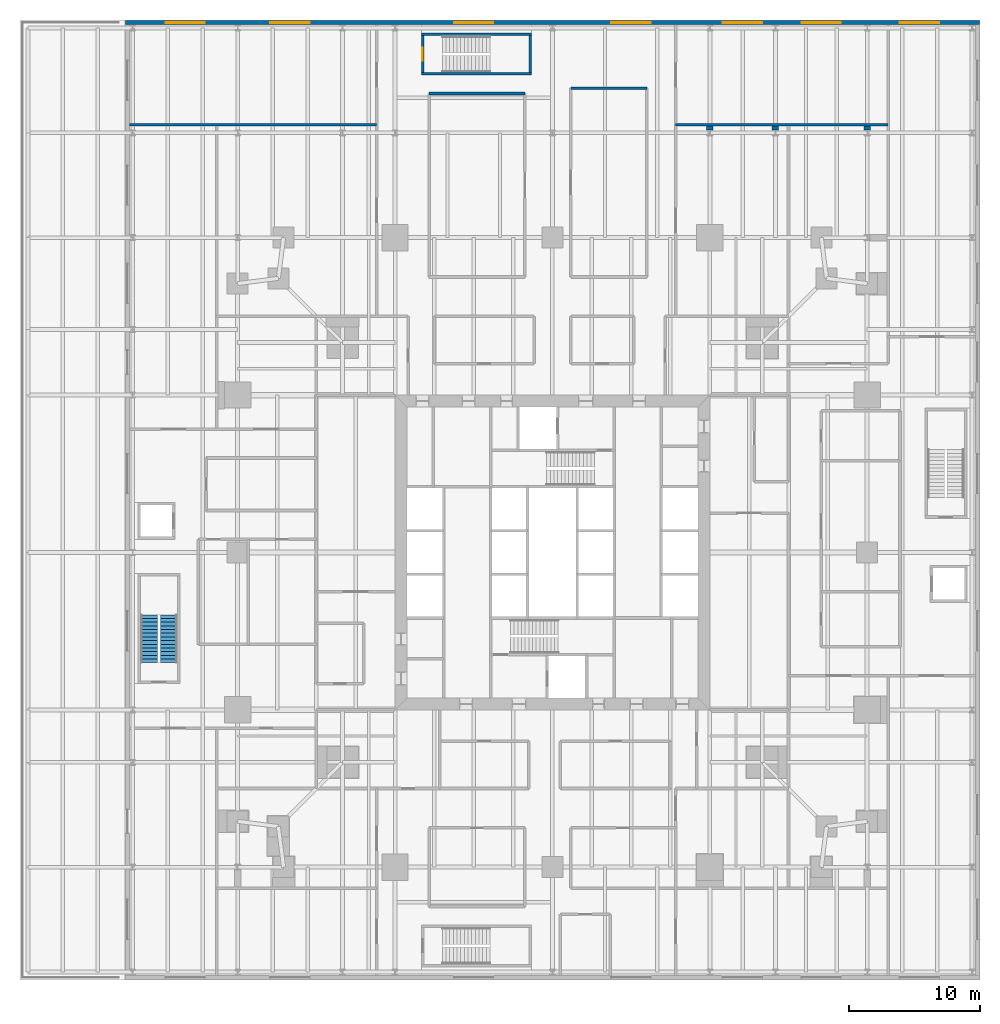
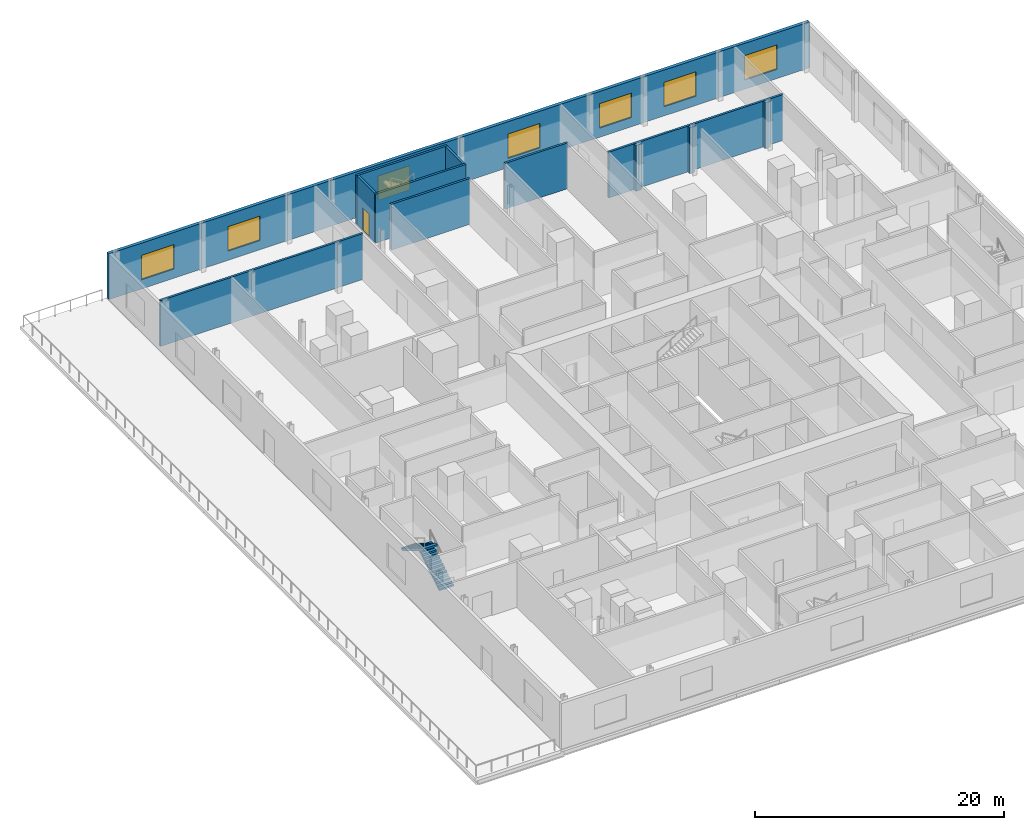
# One storey, part 14 of 17: 12 walls, 7 windows, 2 stair flights, 1 door, 8 openings, 1 element without a shape of its own.
"""IFC4 building model written with IfcOpenShell, lengths in metres."""

from ifc_helpers import new_model, si_unit, direction, frame, frame_2d, origin, place, context, subcontext, project, spatial, polyline, rectangle, outline, extrude, material, layer, layer_set, type_object, element, fill, aggregate, save


model = new_model("IFC4")

# Units and contexts
model_context = context("Model", 3, precision=1e-05, world=origin(), true_north=direction((0.0, 1.0)))
body_context = subcontext(model_context, "Body", "Model", "MODEL_VIEW")
ifc_project = project(units=[si_unit("LENGTHUNIT", "METRE"), si_unit("AREAUNIT", "SQUARE_METRE"), si_unit("VOLUMEUNIT", "CUBIC_METRE"), si_unit("PLANEANGLEUNIT", "RADIAN"), si_unit("MASSUNIT", "GRAM", prefix="KILO")], contexts=[model_context])

# Site, building, storey
site_placement = place(None, origin())
site = spatial("IfcSite", under=ifc_project, at=site_placement, CompositionType="ELEMENT")
building_placement = place(site_placement, origin())
building = spatial("IfcBuilding", under=site, at=building_placement, Name="Fenwick Lantern Interchange", CompositionType="ELEMENT")
storey_placement = place(building_placement, frame((0.0, 0.0, 21.39990234375)))
storey = spatial("IfcBuildingStorey", under=building, at=storey_placement, Name="L04", CompositionType="ELEMENT", Elevation=21.39990234375)

# Walls
ifc_material_1 = material(Name="Fire-rated gypsum board encasement on steel studs, 2 hour", Category="steel")
ifc_layer_1 = layer(ifc_material_1, 0.506103515625)
ifc_layer_set_1 = layer_set([ifc_layer_1], Name="COLUMN PIER 506")
wall_type_1 = type_object("IfcWallType", Name="COLUMN PIER 506", PredefinedType="PARTITIONING", material=ifc_layer_set_1)
for number, where, z_axis, x_axis, name in (
    (1, (49.0, 57.5, 0.0), (0.0, 0.0, 1.0), (0.0, -1.0, 0.0), "L04/W/PIER/PK9"),
    (2, (37.0, 57.5, 0.0), (0.0, 0.0, 1.0), (0.0, -1.0, 0.0), "L04/W/PIER/PK7"),
    (3, (42.0, 57.5, 0.0), (0.0, 0.0, 1.0), (0.0, -1.0, 0.0), "L04/W/PIER/PK8"),
):
    element("IfcWall", number, at=place(storey_placement, frame(where, z_axis=z_axis, x_axis=x_axis)), inside=storey, type_object=wall_type_1, Name=name, PredefinedType="PARTITIONING", context=body_context, shape_type="SweptSolid", body=[
        extrude(rectangle(XDim=0.291748046875, YDim=0.506103515625, at=frame_2d((0.14599609375, 0.0))), origin(), (0.0, 0.0, 1.0), 4.5),
    ])

# Wall, openings, windows
ifc_material_2 = material(Name="Limestone ASTM C568 Classification II", Category="masonry")
ifc_layer_2 = layer(ifc_material_2, 0.074951171875)
ifc_material_3 = material(Name="Mineral wool insulation")
ifc_layer_3 = layer(ifc_material_3, 0.125)
ifc_material_4 = material(Name="Cold-formed galvanised steel studs", Category="steel")
ifc_layer_4 = layer(ifc_material_4, 0.10009765625)
ifc_layer_set_2 = layer_set([ifc_layer_2, ifc_layer_3, ifc_layer_4], Name="Limestone ASTM C568 Classification II")
wall_type_2 = type_object("IfcWallType", Name="LIMESTONE RAINSCREEN WALL 300", PredefinedType="SOLIDWALL", material=ifc_layer_set_2)
wall_1_placement = place(storey_placement, frame((57.550048828125, 65.39990234375, 0.0), z_axis=(0.0, 0.0, 1.0), x_axis=(-1.0, 0.0, 0.0)))
wall_1 = element("IfcWall", 4, at=wall_1_placement, inside=storey, type_object=wall_type_2, Name="L04/EW/N", PredefinedType="SOLIDWALL", context=body_context, shape_type="SweptSolid", body=[
    extrude(rectangle(XDim=65.10009765625, YDim=0.300048828125, at=frame_2d((32.550048828125, 0.0))), origin(), (0.0, 0.0, 1.0), 4.5),
])
opening_1_placement = place(wall_1_placement, frame((59.050048828125, 0.0, 0.89990234375)))
opening_1 = element("IfcOpeningElement", 5, at=opening_1_placement, cuts=wall_1, Name="Opening W1", PredefinedType="OPENING", context=body_context, shape_type="SweptSolid", body=[
    extrude(rectangle(XDim=3.0, YDim=2.39990234375, at=frame_2d((1.5, 1.199951171875))), frame((0.0, 0.159912109375, 0.0), z_axis=(0.0, -1.0, 0.0), x_axis=(1.0, 0.0, 0.0)), (0.0, 0.0, 1.0), 0.320068359375),
])
opening_2_placement = place(wall_1_placement, frame((51.050048828125, 0.0, 0.89990234375)))
opening_2 = element("IfcOpeningElement", 6, at=opening_2_placement, cuts=wall_1, Name="Opening W1", PredefinedType="OPENING", context=body_context, shape_type="SweptSolid", body=[
    extrude(rectangle(XDim=3.0, YDim=2.39990234375, at=frame_2d((1.5, 1.199951171875))), frame((0.0, 0.159912109375, 0.0), z_axis=(0.0, -1.0, 0.0), x_axis=(1.0, 0.0, 0.0)), (0.0, 0.0, 1.0), 0.320068359375),
])
opening_3_placement = place(wall_1_placement, frame((37.050048828125, 0.0, 0.89990234375)))
opening_3 = element("IfcOpeningElement", 7, at=opening_3_placement, cuts=wall_1, Name="Opening W1", PredefinedType="OPENING", context=body_context, shape_type="SweptSolid", body=[
    extrude(rectangle(XDim=3.0, YDim=2.39990234375, at=frame_2d((1.5, 1.199951171875))), frame((0.0, 0.159912109375, 0.0), z_axis=(0.0, -1.0, 0.0), x_axis=(1.0, 0.0, 0.0)), (0.0, 0.0, 1.0), 0.320068359375),
])
opening_4_placement = place(wall_1_placement, frame((25.050048828125, 0.0, 0.89990234375)))
opening_4 = element("IfcOpeningElement", 8, at=opening_4_placement, cuts=wall_1, Name="Opening W1", PredefinedType="OPENING", context=body_context, shape_type="SweptSolid", body=[
    extrude(rectangle(XDim=3.0, YDim=2.39990234375, at=frame_2d((1.5, 1.199951171875))), frame((0.0, 0.159912109375, 0.0), z_axis=(0.0, -1.0, 0.0), x_axis=(1.0, 0.0, 0.0)), (0.0, 0.0, 1.0), 0.320068359375),
])
opening_5_placement = place(wall_1_placement, frame((16.550048828125, 0.0, 0.89990234375)))
opening_5 = element("IfcOpeningElement", 9, at=opening_5_placement, cuts=wall_1, Name="Opening W1", PredefinedType="OPENING", context=body_context, shape_type="SweptSolid", body=[
    extrude(rectangle(XDim=3.0, YDim=2.39990234375, at=frame_2d((1.5, 1.199951171875))), frame((0.0, 0.159912109375, 0.0), z_axis=(0.0, -1.0, 0.0), x_axis=(1.0, 0.0, 0.0)), (0.0, 0.0, 1.0), 0.320068359375),
])
opening_6_placement = place(wall_1_placement, frame((10.550048828125, 0.0, 0.89990234375)))
opening_6 = element("IfcOpeningElement", 10, at=opening_6_placement, cuts=wall_1, Name="Opening W1", PredefinedType="OPENING", context=body_context, shape_type="SweptSolid", body=[
    extrude(rectangle(XDim=3.0, YDim=2.39990234375, at=frame_2d((1.5, 1.199951171875))), frame((0.0, 0.159912109375, 0.0), z_axis=(0.0, -1.0, 0.0), x_axis=(1.0, 0.0, 0.0)), (0.0, 0.0, 1.0), 0.320068359375),
])
opening_7_placement = place(wall_1_placement, frame((3.050048828125, 0.0, 0.89990234375)))
opening_7 = element("IfcOpeningElement", 11, at=opening_7_placement, cuts=wall_1, Name="Opening W1", PredefinedType="OPENING", context=body_context, shape_type="SweptSolid", body=[
    extrude(rectangle(XDim=3.0, YDim=2.39990234375, at=frame_2d((1.5, 1.199951171875))), frame((0.0, 0.159912109375, 0.0), z_axis=(0.0, -1.0, 0.0), x_axis=(1.0, 0.0, 0.0)), (0.0, 0.0, 1.0), 0.320068359375),
])
ifc_material_5 = material(Name="Aluminium window, clear glass", Category="aluminium")
window_type = type_object("IfcWindowType", Name="PODIUM WINDOW 3000 X 2400", PartitioningType="SINGLE_PANEL", PredefinedType="WINDOW", material=ifc_material_5)
window_1_placement = place(opening_1_placement, origin())
window_1 = element("IfcWindow", 12, at=window_1_placement, inside=storey, type_object=window_type, Name="Podium window", OverallHeight=2.39990234375, OverallWidth=3.0, PartitioningType="SINGLE_PANEL", PredefinedType="WINDOW", context=body_context, shape_type="SweptSolid", body=[
    extrude(rectangle(XDim=3.0, YDim=2.39990234375, at=frame_2d((1.5, 1.199951171875))), frame((0.0, 0.030029296875, 0.0), z_axis=(0.0, -1.0, 0.0), x_axis=(1.0, 0.0, 0.0)), (0.0, 0.0, 1.0), 0.06005859375),
])
fill(opening_1, window_1)
window_2_placement = place(opening_2_placement, origin())
window_2 = element("IfcWindow", 13, at=window_2_placement, inside=storey, type_object=window_type, Name="Podium window", OverallHeight=2.39990234375, OverallWidth=3.0, PartitioningType="SINGLE_PANEL", PredefinedType="WINDOW", context=body_context, shape_type="SweptSolid", body=[
    extrude(rectangle(XDim=3.0, YDim=2.39990234375, at=frame_2d((1.5, 1.199951171875))), frame((0.0, 0.030029296875, 0.0), z_axis=(0.0, -1.0, 0.0), x_axis=(1.0, 0.0, 0.0)), (0.0, 0.0, 1.0), 0.06005859375),
])
fill(opening_2, window_2)
window_3_placement = place(opening_3_placement, origin())
window_3 = element("IfcWindow", 14, at=window_3_placement, inside=storey, type_object=window_type, Name="Podium window", OverallHeight=2.39990234375, OverallWidth=3.0, PartitioningType="SINGLE_PANEL", PredefinedType="WINDOW", context=body_context, shape_type="SweptSolid", body=[
    extrude(rectangle(XDim=3.0, YDim=2.39990234375, at=frame_2d((1.5, 1.199951171875))), frame((0.0, 0.030029296875, 0.0), z_axis=(0.0, -1.0, 0.0), x_axis=(1.0, 0.0, 0.0)), (0.0, 0.0, 1.0), 0.06005859375),
])
fill(opening_3, window_3)
window_4_placement = place(opening_4_placement, origin())
window_4 = element("IfcWindow", 15, at=window_4_placement, inside=storey, type_object=window_type, Name="Podium window", OverallHeight=2.39990234375, OverallWidth=3.0, PartitioningType="SINGLE_PANEL", PredefinedType="WINDOW", context=body_context, shape_type="SweptSolid", body=[
    extrude(rectangle(XDim=3.0, YDim=2.39990234375, at=frame_2d((1.5, 1.199951171875))), frame((0.0, 0.030029296875, 0.0), z_axis=(0.0, -1.0, 0.0), x_axis=(1.0, 0.0, 0.0)), (0.0, 0.0, 1.0), 0.06005859375),
])
fill(opening_4, window_4)
window_5_placement = place(opening_5_placement, origin())
window_5 = element("IfcWindow", 16, at=window_5_placement, inside=storey, type_object=window_type, Name="Podium window", OverallHeight=2.39990234375, OverallWidth=3.0, PartitioningType="SINGLE_PANEL", PredefinedType="WINDOW", context=body_context, shape_type="SweptSolid", body=[
    extrude(rectangle(XDim=3.0, YDim=2.39990234375, at=frame_2d((1.5, 1.199951171875))), frame((0.0, 0.030029296875, 0.0), z_axis=(0.0, -1.0, 0.0), x_axis=(1.0, 0.0, 0.0)), (0.0, 0.0, 1.0), 0.06005859375),
])
fill(opening_5, window_5)
window_6_placement = place(opening_6_placement, origin())
window_6 = element("IfcWindow", 17, at=window_6_placement, inside=storey, type_object=window_type, Name="Podium window", OverallHeight=2.39990234375, OverallWidth=3.0, PartitioningType="SINGLE_PANEL", PredefinedType="WINDOW", context=body_context, shape_type="SweptSolid", body=[
    extrude(rectangle(XDim=3.0, YDim=2.39990234375, at=frame_2d((1.5, 1.199951171875))), frame((0.0, 0.030029296875, 0.0), z_axis=(0.0, -1.0, 0.0), x_axis=(1.0, 0.0, 0.0)), (0.0, 0.0, 1.0), 0.06005859375),
])
fill(opening_6, window_6)
window_7_placement = place(opening_7_placement, origin())
window_7 = element("IfcWindow", 18, at=window_7_placement, inside=storey, type_object=window_type, Name="Podium window", OverallHeight=2.39990234375, OverallWidth=3.0, PartitioningType="SINGLE_PANEL", PredefinedType="WINDOW", context=body_context, shape_type="SweptSolid", body=[
    extrude(rectangle(XDim=3.0, YDim=2.39990234375, at=frame_2d((1.5, 1.199951171875))), frame((0.0, 0.030029296875, 0.0), z_axis=(0.0, -1.0, 0.0), x_axis=(1.0, 0.0, 0.0)), (0.0, 0.0, 1.0), 0.06005859375),
])
fill(opening_7, window_7)

# Walls
ifc_material_6 = material(Name="Gypsum board on steel studs, 1 hour", Category="steel")
ifc_layer_5 = layer(ifc_material_6, 0.199951171875)
ifc_layer_set_3 = layer_set([ifc_layer_5], Name="ROOM WALL 200")
wall_type_3 = type_object("IfcWallType", Name="ROOM WALL 200", PredefinedType="PARTITIONING", material=ifc_layer_set_3)
wall_2_placement = place(storey_placement, frame((-7.25, 57.60009765625, 0.0), z_axis=(0.0, 0.0, 1.0), x_axis=(1.0, 0.0, 0.0)))
element("IfcWall", 19, at=wall_2_placement, inside=storey, type_object=wall_type_3, Name="L04/W/POD/Y57.6-1", PredefinedType="PARTITIONING", context=body_context, shape_type="SweptSolid", body=[
    extrude(rectangle(XDim=18.85009765625, YDim=0.199951171875, at=frame_2d((9.425048828125, 0.0))), origin(), (0.0, 0.0, 1.0), 4.5),
])
wall_3_placement = place(storey_placement, frame((34.39990234375, 57.60009765625, 0.0), z_axis=(0.0, 0.0, 1.0), x_axis=(1.0, 0.0, 0.0)))
element("IfcWall", 20, at=wall_3_placement, inside=storey, type_object=wall_type_3, Name="L04/W/POD/Y57.6-2", PredefinedType="PARTITIONING", context=body_context, shape_type="SweptSolid", body=[
    extrude(rectangle(XDim=16.2001953125, YDim=0.199951171875, at=frame_2d((8.10009765625, 0.0))), origin(), (0.0, 0.0, 1.0), 4.5),
])
wall_4_placement = place(storey_placement, frame((15.60009765625, 60.0, 0.0), z_axis=(0.0, 0.0, 1.0), x_axis=(1.0, 0.0, 0.0)))
element("IfcWall", 21, at=wall_4_placement, inside=storey, type_object=wall_type_3, Name="L04/W/POD/Y60-1", PredefinedType="PARTITIONING", context=body_context, shape_type="SweptSolid", body=[
    extrude(rectangle(XDim=7.2998046875, YDim=0.199951171875, at=frame_2d((3.64990234375, 0.0))), origin(), (0.0, 0.0, 1.0), 4.5),
])
wall_5_placement = place(storey_placement, frame((26.39990234375, 60.39990234375, 0.0), z_axis=(0.0, 0.0, 1.0), x_axis=(1.0, 0.0, 0.0)))
element("IfcWall", 22, at=wall_5_placement, inside=storey, type_object=wall_type_3, Name="L04/W/POD/Y60.4-1", PredefinedType="PARTITIONING", context=body_context, shape_type="SweptSolid", body=[
    extrude(rectangle(XDim=5.800048828125, YDim=0.199951171875, at=frame_2d((2.89990234375, 0.0))), origin(), (0.0, 0.0, 1.0), 4.5),
])
ifc_material_7 = material(Name="Reinforced concrete masonry ASTM C90 Grade N", Category="masonry")
ifc_layer_6 = layer(ifc_material_7, 0.199951171875)
ifc_layer_set_4 = layer_set([ifc_layer_6], Name="Reinforced concrete masonry ASTM C90 Grade N")
wall_type_4 = type_object("IfcWallType", Name="STAIR ENCLOSURE 200", PredefinedType="SOLIDWALL", material=ifc_layer_set_4)
wall_6_placement = place(storey_placement, frame((15.0, 61.5, 0.0), z_axis=(0.0, 0.0, 1.0), x_axis=(1.0, 0.0, 0.0)))
element("IfcWall", 23, at=wall_6_placement, inside=storey, type_object=wall_type_4, Name="L04/W/PS1/S", PredefinedType="SOLIDWALL", context=body_context, shape_type="SweptSolid", body=[
    extrude(rectangle(XDim=8.39990234375, YDim=0.199951171875, at=frame_2d((4.199951171875, 0.0))), origin(), (0.0, 0.0, 1.0), 4.800048828125),
])
wall_7_placement = place(storey_placement, frame((23.300048828125, 61.60009765625, 0.0), z_axis=(0.0, 0.0, 1.0), x_axis=(0.0, 1.0, 0.0)))
element("IfcWall", 24, at=wall_7_placement, inside=storey, type_object=wall_type_4, Name="L04/W/PS1/E", PredefinedType="SOLIDWALL", context=body_context, shape_type="SweptSolid", body=[
    extrude(rectangle(XDim=2.7998046875, YDim=0.199951171875, at=frame_2d((1.39990234375, 0.0))), origin(), (0.0, 0.0, 1.0), 4.800048828125),
])
wall_8_placement = place(storey_placement, frame((23.39990234375, 64.5, 0.0), z_axis=(0.0, 0.0, 1.0), x_axis=(-1.0, 0.0, 0.0)))
element("IfcWall", 25, at=wall_8_placement, inside=storey, type_object=wall_type_4, Name="L04/W/PS1/N", PredefinedType="SOLIDWALL", context=body_context, shape_type="SweptSolid", body=[
    extrude(rectangle(XDim=8.39990234375, YDim=0.199951171875, at=frame_2d((4.199951171875, 0.0))), origin(), (0.0, 0.0, 1.0), 4.800048828125),
])

# Wall, opening, door
wall_9_placement = place(storey_placement, frame((15.10009765625, 64.39990234375, 0.0), z_axis=(0.0, 0.0, 1.0), x_axis=(0.0, -1.0, 0.0)))
wall_9 = element("IfcWall", 26, at=wall_9_placement, inside=storey, type_object=wall_type_4, Name="L04/W/PS1/W", PredefinedType="SOLIDWALL", context=body_context, shape_type="SweptSolid", body=[
    extrude(rectangle(XDim=2.7998046875, YDim=0.199951171875, at=frame_2d((1.39990234375, 0.0))), origin(), (0.0, 0.0, 1.0), 4.800048828125),
])
opening_8_placement = place(wall_9_placement, frame((0.89990234375, 0.0, 0.0)))
opening_8 = element("IfcOpeningElement", 27, at=opening_8_placement, cuts=wall_9, Name="Opening L04-D019", PredefinedType="OPENING", context=body_context, shape_type="SweptSolid", body=[
    extrude(rectangle(XDim=1.0, YDim=2.199951171875, at=frame_2d((0.5, 1.10009765625))), frame((0.0, 0.10986328125, 0.0), z_axis=(0.0, -1.0, 0.0), x_axis=(1.0, 0.0, 0.0)), (0.0, 0.0, 1.0), 0.219970703125),
])
ifc_material_8 = material(Name="Steel door and frame", Category="steel")
door_type = type_object("IfcDoorType", Name="STAIR DOOR 1000 X 2200", OperationType="SINGLE_SWING_LEFT", PredefinedType="DOOR", material=ifc_material_8)
door_placement = place(opening_8_placement, origin())
door = element("IfcDoor", 28, at=door_placement, inside=storey, type_object=door_type, Name="Stair door", OperationType="SINGLE_SWING_LEFT", OverallHeight=2.199951171875, OverallWidth=1.0, PredefinedType="DOOR", context=body_context, shape_type="SweptSolid", body=[
    extrude(rectangle(XDim=1.0, YDim=2.199951171875, at=frame_2d((0.5, 1.10009765625))), frame((0.0, 0.02490234375, 0.0), z_axis=(0.0, -1.0, 0.0), x_axis=(1.0, 0.0, 0.0)), (0.0, 0.0, 1.0), 0.050048828125),
])
fill(opening_8, door)

# Stair, stair flights
ifc_material_9 = material(Name="Precast concrete f'c 35 MPa", Category="concrete")
stair_type = type_object("IfcStairType", Name="EXIT STAIR 1300", PredefinedType="HALF_TURN_STAIR", material=ifc_material_9)
stair_placement = place(storey_placement, origin())
stair = element("IfcStair", 29, at=stair_placement, inside=storey, type_object=stair_type, Name="Exit stair PS3", PredefinedType="HALF_TURN_STAIR")
stair_flight_type = type_object("IfcStairFlightType", Name="STAIR FLIGHT 1300", PredefinedType="STRAIGHT", material=ifc_material_9)
stair_flight_1_placement = place(storey_placement, frame((-4.25, 16.60009765625, 0.0), z_axis=(0.0, 0.0, 1.0), x_axis=(0.0, 1.0, 0.0)))
stair_flight_1 = element("IfcStairFlight", 30, at=stair_flight_1_placement, type_object=stair_flight_type, Name="PS3 flight 1", NumberOfRisers=14, NumberOfTreads=13, PredefinedType="STRAIGHT", RiserHeight=0.171428571, TreadLength=0.28, context=body_context, shape_type="SweptSolid", body=[
    extrude(outline(polyline([(0.0, 0.0), (0.0, 0.17138671875), (0.280029296875, 0.17138671875), (0.280029296875, 0.3427734375), (0.56005859375, 0.3427734375), (0.56005859375, 0.514404296875), (0.840087890625, 0.514404296875), (0.840087890625, 0.685791015625), (1.1201171875, 0.685791015625), (1.1201171875, 0.857177734375), (1.39990234375, 0.857177734375), (1.39990234375, 1.028564453125), (1.679931640625, 1.028564453125), (1.679931640625, 1.199951171875), (1.9599609375, 1.199951171875), (1.9599609375, 1.371337890625), (2.239990234375, 1.371337890625), (2.239990234375, 1.54296875), (2.52001953125, 1.54296875), (2.52001953125, 1.71435546875), (2.800048828125, 1.71435546875), (2.800048828125, 1.8857421875), (3.080078125, 1.8857421875), (3.080078125, 2.05712890625), (3.360107421875, 2.05712890625), (3.360107421875, 2.228515625), (3.639892578125, 2.228515625), (3.639892578125, 2.39990234375), (3.639892578125, 2.052734375), (0.287109375, 0.0), (0.0, 0.0)])), frame((0.0, 0.64990234375, 0.0), z_axis=(0.0, -1.0, 0.0), x_axis=(1.0, 0.0, 0.0)), (0.0, 0.0, 1.0), 1.300048828125),
])
stair_flight_2_placement = place(storey_placement, frame((-5.75, 20.239990234375, 2.400146484375), z_axis=(0.0, 0.0, 1.0), x_axis=(0.0, -1.0, 0.0)))
stair_flight_2 = element("IfcStairFlight", 31, at=stair_flight_2_placement, type_object=stair_flight_type, Name="PS3 flight 2", NumberOfRisers=14, NumberOfTreads=13, PredefinedType="STRAIGHT", RiserHeight=0.171428571, TreadLength=0.28, context=body_context, shape_type="SweptSolid", body=[
    extrude(outline(polyline([(0.0, 0.0), (0.0, 0.17138671875), (0.280029296875, 0.17138671875), (0.280029296875, 0.3427734375), (0.56005859375, 0.3427734375), (0.56005859375, 0.514404296875), (0.840087890625, 0.514404296875), (0.840087890625, 0.685791015625), (1.1201171875, 0.685791015625), (1.1201171875, 0.857177734375), (1.39990234375, 0.857177734375), (1.39990234375, 1.028564453125), (1.679931640625, 1.028564453125), (1.679931640625, 1.199951171875), (1.9599609375, 1.199951171875), (1.9599609375, 1.371337890625), (2.239990234375, 1.371337890625), (2.239990234375, 1.54296875), (2.52001953125, 1.54296875), (2.52001953125, 1.71435546875), (2.800048828125, 1.71435546875), (2.800048828125, 1.8857421875), (3.080078125, 1.8857421875), (3.080078125, 2.05712890625), (3.360107421875, 2.05712890625), (3.360107421875, 2.228515625), (3.639892578125, 2.228515625), (3.639892578125, 2.39990234375), (3.639892578125, 2.052734375), (0.287109375, 0.0), (0.0, 0.0)])), frame((0.0, 0.64990234375, 0.0), z_axis=(0.0, -1.0, 0.0), x_axis=(1.0, 0.0, 0.0)), (0.0, 0.0, 1.0), 1.300048828125),
])
aggregate(stair, [stair_flight_1, stair_flight_2])

save(model, "model.ifc")
